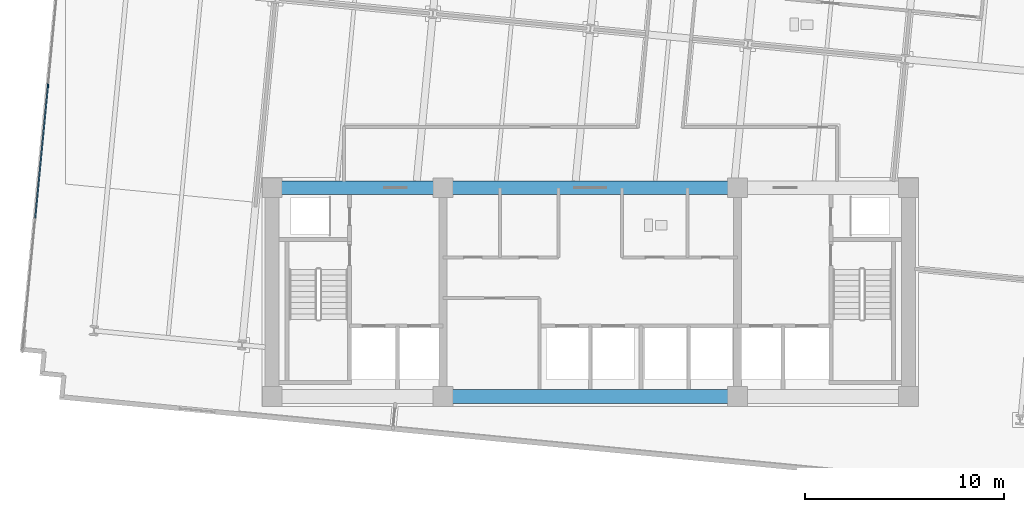
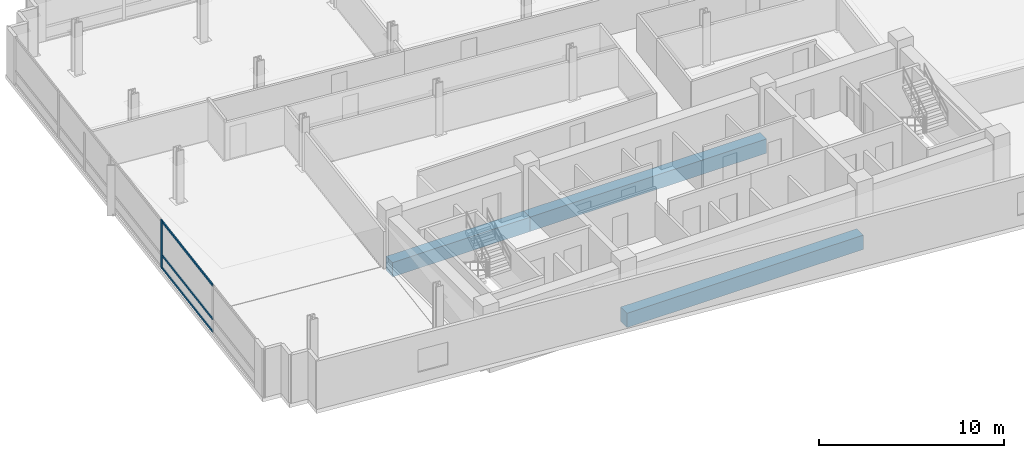
# One storey, part 3 of 16: 4 members, 3 beams, 1 element without a shape of its own.
"""IFC4 building model written with IfcOpenShell, lengths in metres."""

import ifcopenshell
import ifcopenshell.guid

model = None  # the IFC model being written
_history = None  # IfcOwnerHistory: only IFC2X3 demands one
_inside = {}  # id of a spatial element -> (the spatial element, [elements in it])
_under = {}  # id of a project, library or spatial element -> (it, [spatial elements below it])
_declared = {}  # id of a project -> (the project, [libraries it declares])
_typed = {}  # id of a type object -> (the type object, [elements of that type])
_made_of = {}  # id of a material, layer set ... -> (it, [elements and type objects made of it])


def new_model(schema):
    """Start an empty IFC model of exactly this schema.

    Asked for "IFC4X3", IfcOpenShell would pick the latest addendum, in which some entities
    have other attributes; the version numbers below select the first issue.
    IFC2X3 requires an IfcOwnerHistory on every rooted entity: one is made here for all.
    """
    global model, _history
    if schema == "IFC4X3":
        model = ifcopenshell.file(schema_version=(4, 3, 0, 0))
    else:
        model = ifcopenshell.file(schema=schema)
    _inside.clear()
    _under.clear()
    _declared.clear()
    _typed.clear()
    _made_of.clear()
    _history = None
    if model.schema == "IFC2X3":
        org = make("IfcOrganization", Name="unknown")
        user = make(
            "IfcPersonAndOrganization",
            ThePerson=make("IfcPerson", FamilyName="unknown"),
            TheOrganization=org,
        )
        app = make(
            "IfcApplication",
            ApplicationDeveloper=org,
            Version="unknown",
            ApplicationFullName="unknown",
            ApplicationIdentifier="unknown",
        )
        _history = make(
            "IfcOwnerHistory",
            OwningUser=user,
            OwningApplication=app,
            ChangeAction="ADDED",
            CreationDate=0,
        )
    return model


def make(cls, **values):
    """One entity of the class cls with the attributes given. An attribute that is None is left unset."""
    return model.create_entity(
        cls, **{name: value for name, value in values.items() if value is not None}
    )


def rooted(cls, **values):
    """An entity with a GlobalId (a new one), such as an element, a storey or a relation."""
    return make(cls, GlobalId=ifcopenshell.guid.new(), OwnerHistory=_history, **values)


def si_unit(unit_type, name, prefix=None):
    """IfcSIUnit, for example si_unit("LENGTHUNIT", "METRE", prefix="MILLI")."""
    return make("IfcSIUnit", UnitType=unit_type, Prefix=prefix, Name=name)


def assignment(units):
    """IfcUnitAssignment: the units of a project."""
    return None if units is None else make("IfcUnitAssignment", Units=units)


def point(xyz):
    """IfcCartesianPoint."""
    return None if xyz is None else make("IfcCartesianPoint", Coordinates=xyz)


def direction(xyz):
    """IfcDirection."""
    return None if xyz is None else make("IfcDirection", DirectionRatios=xyz)


def frame(location, z_axis=None, x_axis=None):
    """IfcAxis2Placement3D, a coordinate frame: its origin and axes. An axis left out is left unset."""
    return make(
        "IfcAxis2Placement3D",
        Location=point(location),
        Axis=direction(z_axis),
        RefDirection=direction(x_axis),
    )


def frame_2d(location, x_axis=None):
    """IfcAxis2Placement2D, a coordinate frame in the plane: its origin and x axis."""
    return make(
        "IfcAxis2Placement2D", Location=point(location), RefDirection=direction(x_axis)
    )


def origin():
    """The frame at (0, 0, 0) with its axes left unset."""
    return frame((0.0, 0.0, 0.0))


def origin_2d():
    """The frame at (0, 0) in the plane with its x axis left unset."""
    return frame_2d((0.0, 0.0))


def place(relative_to, where):
    """IfcLocalPlacement: puts the frame where relative to a parent placement (None: the world)."""
    return make(
        "IfcLocalPlacement", PlacementRelTo=relative_to, RelativePlacement=where
    )


def context(
    kind, dimensions, precision=None, world=None, true_north=None, identifier=None
):
    """IfcGeometricRepresentationContext, for example the 3D "Model" context."""
    return make(
        "IfcGeometricRepresentationContext",
        ContextIdentifier=identifier,
        ContextType=kind,
        CoordinateSpaceDimension=dimensions,
        Precision=precision,
        WorldCoordinateSystem=world,
        TrueNorth=true_north,
    )


def subcontext(parent, identifier, kind, view, scale=None):
    """IfcGeometricRepresentationSubContext, for example "Body" below "Model"."""
    return make(
        "IfcGeometricRepresentationSubContext",
        ContextIdentifier=identifier,
        ContextType=kind,
        ParentContext=parent,
        TargetScale=scale,
        TargetView=view,
    )


def project(units=None, contexts=None):
    """IfcProject with its units and contexts."""
    return rooted(
        "IfcProject",
        Name="project",
        RepresentationContexts=contexts,
        UnitsInContext=assignment(units),
    )


def spatial(cls, under=None, at=None, **own):
    """A site, building, storey or space (cls), placed at a placement, below another one or the project."""
    s = rooted(cls, ObjectPlacement=at, **own)
    if under is not None:
        _under.setdefault(under.id(), (under, []))[1].append(s)
    return s


def profile(cls, at=None, kind="AREA", **sizes):
    """A parametric profile (cls). Its sizes go by their IFC names, for example OverallWidth=200.0."""
    return make(cls, ProfileType=kind, Position=at, **sizes)


def rectangle(**sizes):
    """IfcRectangleProfileDef."""
    return profile("IfcRectangleProfileDef", **sizes)


def extrude(swept, where, along, depth):
    """IfcExtrudedAreaSolid: the profile swept, set in the frame where, extruded along a direction by depth."""
    return make(
        "IfcExtrudedAreaSolid",
        SweptArea=swept,
        Position=where,
        ExtrudedDirection=direction(along),
        Depth=depth,
    )


def shape(context_of_items, identifier, shape_type, items):
    """IfcShapeRepresentation: the items that make up one representation, for example the "Body"."""
    return make(
        "IfcShapeRepresentation",
        ContextOfItems=context_of_items,
        RepresentationIdentifier=identifier,
        RepresentationType=shape_type,
        Items=items,
    )


def material(Name=None, Category=None):
    """IfcMaterial."""
    return make("IfcMaterial", Name=Name, Category=Category)


def material_profile(
    of_material, cross_section, Name=None, Category=None, Priority=None
):
    """IfcMaterialProfile: a cross section and its material."""
    return make(
        "IfcMaterialProfile",
        Name=Name,
        Material=of_material,
        Profile=cross_section,
        Priority=Priority,
        Category=Category,
    )


def profile_set(profiles, Name=None, composite=None):
    """IfcMaterialProfileSet."""
    return make(
        "IfcMaterialProfileSet",
        Name=Name,
        MaterialProfiles=profiles,
        CompositeProfile=composite,
    )


def made_of(thing, what):
    """Note that an element or type object is made of a material, layer set ...; save() writes the relation."""
    if what is not None:
        _made_of.setdefault(what.id(), (what, []))[1].append(thing)
    return thing


def type_object(cls, material=None, **own):
    """A type object (cls), such as IfcWallType, which elements share."""
    return made_of(rooted(cls, **own), material)


def element(
    cls,
    number,
    at=None,
    inside=None,
    cuts=None,
    type_object=None,
    material=None,
    context=None,
    identifier="Body",
    shape_type=None,
    held_by="IfcProductDefinitionShape",
    body=None,
    shapes=None,
    **own,
):
    """One element of the class cls, such as IfcWall. Its Tag is "e" and its number.

    at: its placement. inside: the storey or other place that contains it. cuts: it is an
    opening in that element (IfcRelVoidsElement). A single representation is given by context,
    identifier, shape_type and body (its items); several are given by shapes. held_by: the class
    of the entity that holds the representations. save() writes the other relations.
    """
    e = rooted(cls, Tag="e%d" % number, ObjectPlacement=at, **own)
    if body is not None:
        shapes = [shape(context, identifier, shape_type, body)]
    if shapes is not None:
        e.Representation = make(held_by, Representations=shapes)
    if inside is not None:
        _inside.setdefault(inside.id(), (inside, []))[1].append(e)
    if cuts is not None:
        rooted(
            "IfcRelVoidsElement", RelatingBuildingElement=cuts, RelatedOpeningElement=e
        )
    if type_object is not None:
        _typed.setdefault(type_object.id(), (type_object, []))[1].append(e)
    return made_of(e, material)


def aggregate(whole, parts):
    """IfcRelAggregates: a whole, such as a stair, and the parts it consists of."""
    return rooted("IfcRelAggregates", RelatingObject=whole, RelatedObjects=parts)


def save(model, path):
    """Write the relations noted so far, then the file.

    IfcRelAggregates (storeys below a building ...), IfcRelContainedInSpatialStructure (elements
    in a storey), IfcRelDefinesByType, IfcRelAssociatesMaterial and IfcRelDeclares: one each for
    every whole, place, type object, material and project.
    """
    for whole, parts in _under.values():
        aggregate(whole, parts)
    for where, things in _inside.values():
        rooted(
            "IfcRelContainedInSpatialStructure",
            RelatedElements=things,
            RelatingStructure=where,
        )
    for kind, things in _typed.values():
        rooted("IfcRelDefinesByType", RelatedObjects=things, RelatingType=kind)
    for what, things in _made_of.values():
        rooted("IfcRelAssociatesMaterial", RelatedObjects=things, RelatingMaterial=what)
    for by, libraries in _declared.values():
        rooted("IfcRelDeclares", RelatingContext=by, RelatedDefinitions=libraries)
    model.write(path)


model = new_model("IFC4")

# Units and contexts
model_context = context("Model", 3, precision=1e-05, world=origin(), true_north=direction((0.0, 1.0)))
body_context = subcontext(model_context, "Body", "Model", "MODEL_VIEW")
ifc_project = project(units=[si_unit("LENGTHUNIT", "METRE"), si_unit("AREAUNIT", "SQUARE_METRE"), si_unit("VOLUMEUNIT", "CUBIC_METRE"), si_unit("PLANEANGLEUNIT", "RADIAN"), si_unit("MASSUNIT", "GRAM", prefix="KILO")], contexts=[model_context])

# Site, building, storey
site_placement = place(None, origin())
site = spatial("IfcSite", under=ifc_project, at=site_placement, CompositionType="ELEMENT")
building_placement = place(site_placement, origin())
building = spatial("IfcBuilding", under=site, at=building_placement, Name="Solmavex Isthmus Hotel", CompositionType="ELEMENT")
storey_placement = place(building_placement, frame((0.0, 0.0, 160.050048828125)))
storey = spatial("IfcBuildingStorey", under=building, at=storey_placement, Name="L43", CompositionType="ELEMENT", Elevation=160.050048828125)

# Beams
ifc_material_1 = material(Name="Concrete C60/75", Category="concrete")
ifc_material_profile_1 = material_profile(ifc_material_1, rectangle(XDim=0.699951171875, YDim=0.949951171875, at=origin_2d()), Name="RC700X950")
ifc_profile_set_1 = profile_set([ifc_material_profile_1], Name="Concrete C60/75")
beam_type = type_object("IfcBeamType", Name="BM-CB-700X950", PredefinedType="BEAM", material=ifc_profile_set_1)
beam_1_placement = place(storey_placement, frame((-7.39990234375, -13.0, -0.735107421875), z_axis=(1.0, 0.0, 0.0), x_axis=(0.0, 1.0, 0.0)))
element("IfcBeam", 1, at=beam_1_placement, inside=storey, type_object=beam_type, Name="Core Coupling Beam L43-CB2", PredefinedType="BEAM", context=body_context, shape_type="SweptSolid", body=[
    extrude(rectangle(XDim=0.699951171875, YDim=0.949951171875, at=origin_2d()), origin(), (0.0, 0.0, 1.0), 14.7998046875),
])
beam_2_placement = place(storey_placement, frame((-16.0, -2.5, -0.735107421875), z_axis=(1.0, 0.0, 0.0), x_axis=(0.0, 1.0, 0.0)))
element("IfcBeam", 2, at=beam_2_placement, inside=storey, type_object=beam_type, Name="Core Coupling Beam L43-CB4", PredefinedType="BEAM", context=body_context, shape_type="SweptSolid", body=[
    extrude(rectangle(XDim=0.699951171875, YDim=0.949951171875, at=origin_2d()), origin(), (0.0, 0.0, 1.0), 8.60009765625),
])
beam_3_placement = place(storey_placement, frame((-7.39990234375, -2.5, -0.735107421875), z_axis=(1.0, 0.0, 0.0), x_axis=(0.0, 1.0, 0.0)))
element("IfcBeam", 3, at=beam_3_placement, inside=storey, type_object=beam_type, Name="Core Coupling Beam L43-CB5", PredefinedType="BEAM", context=body_context, shape_type="SweptSolid", body=[
    extrude(rectangle(XDim=0.699951171875, YDim=0.949951171875, at=origin_2d()), origin(), (0.0, 0.0, 1.0), 14.7998046875),
])

# Curtain wall, members
ifc_material_2 = material(Name="Aluminium alloy 6063-T6", Category="aluminium")
curtain_wall_type = type_object("IfcCurtainWallType", Name="CW-SYS-03", PredefinedType="NOTDEFINED", material=ifc_material_2)
curtain_wall_placement = place(storey_placement, origin())
curtain_wall = element("IfcCurtainWall", 4, at=curtain_wall_placement, inside=storey, type_object=curtain_wall_type, Name="Stick Curtain Wall CWL-L43-W1", PredefinedType="NOTDEFINED")
ifc_material_profile_2 = material_profile(ifc_material_2, rectangle(XDim=0.070068359375, YDim=0.179931640625, at=origin_2d()), Name="CWM-70X180")
ifc_profile_set_2 = profile_set([ifc_material_profile_2], Name="Aluminium alloy 6063-T6")
member_type_1 = type_object("IfcMemberType", Name="CW-SYS-03-MUL", PredefinedType="MULLION", material=ifc_profile_set_2)
member_1_placement = place(storey_placement, frame((-27.2783203125, 2.6318359375, 0.0), z_axis=(0.0, 0.0, 1.0), x_axis=(-0.995396190038, 0.09584583902, 0.0)))
member_1 = element("IfcMember", 5, at=member_1_placement, type_object=member_type_1, Name="CW-03 mullion 3", PredefinedType="MULLION", context=body_context, shape_type="SweptSolid", body=[
    extrude(rectangle(XDim=0.070068359375, YDim=0.179931640625, at=origin_2d()), origin(), (0.0, 0.0, 1.0), 3.18994140625),
])
ifc_material_profile_3 = material_profile(ifc_material_2, rectangle(XDim=0.070068359375, YDim=0.139892578125, at=origin_2d()), Name="CWT-70X140")
ifc_profile_set_3 = profile_set([ifc_material_profile_3], Name="Aluminium alloy 6063-T6")
member_type_2 = type_object("IfcMemberType", Name="CW-SYS-03-TRN", PredefinedType="USERDEFINED", material=ifc_profile_set_3)
member_2_placement = place(storey_placement, frame((-27.9189453125, -4.0224609375, 0.070068359375), z_axis=(0.095820836451, 0.995398597197, 0.0), x_axis=(-0.995398597197, 0.095820836451, 0.0)))
member_2 = element("IfcMember", 6, at=member_2_placement, type_object=member_type_2, Name="CW-03 transom 2.1", ObjectType="TRANSOM", PredefinedType="USERDEFINED", context=body_context, shape_type="SweptSolid", body=[
    extrude(rectangle(XDim=0.070068359375, YDim=0.139892578125, at=origin_2d()), origin(), (0.0, 0.0, 1.0), 6.64990234375),
])
member_3_placement = place(storey_placement, frame((-27.9189453125, -4.0224609375, 0.89990234375), z_axis=(0.095820836451, 0.995398597197, 0.0), x_axis=(-0.995398597197, 0.095820836451, 0.0)))
member_3 = element("IfcMember", 7, at=member_3_placement, type_object=member_type_2, Name="CW-03 transom 2.2", ObjectType="TRANSOM", PredefinedType="USERDEFINED", context=body_context, shape_type="SweptSolid", body=[
    extrude(rectangle(XDim=0.070068359375, YDim=0.139892578125, at=origin_2d()), origin(), (0.0, 0.0, 1.0), 6.64990234375),
])
member_4_placement = place(storey_placement, frame((-27.9189453125, -4.0224609375, 3.119873046875), z_axis=(0.095820836451, 0.995398597197, 0.0), x_axis=(-0.995398597197, 0.095820836451, 0.0)))
member_4 = element("IfcMember", 8, at=member_4_placement, type_object=member_type_2, Name="CW-03 transom 2.3", ObjectType="TRANSOM", PredefinedType="USERDEFINED", context=body_context, shape_type="SweptSolid", body=[
    extrude(rectangle(XDim=0.070068359375, YDim=0.139892578125, at=origin_2d()), origin(), (0.0, 0.0, 1.0), 6.64990234375),
])
aggregate(curtain_wall, [member_1, member_2, member_3, member_4])

save(model, "model.ifc")
